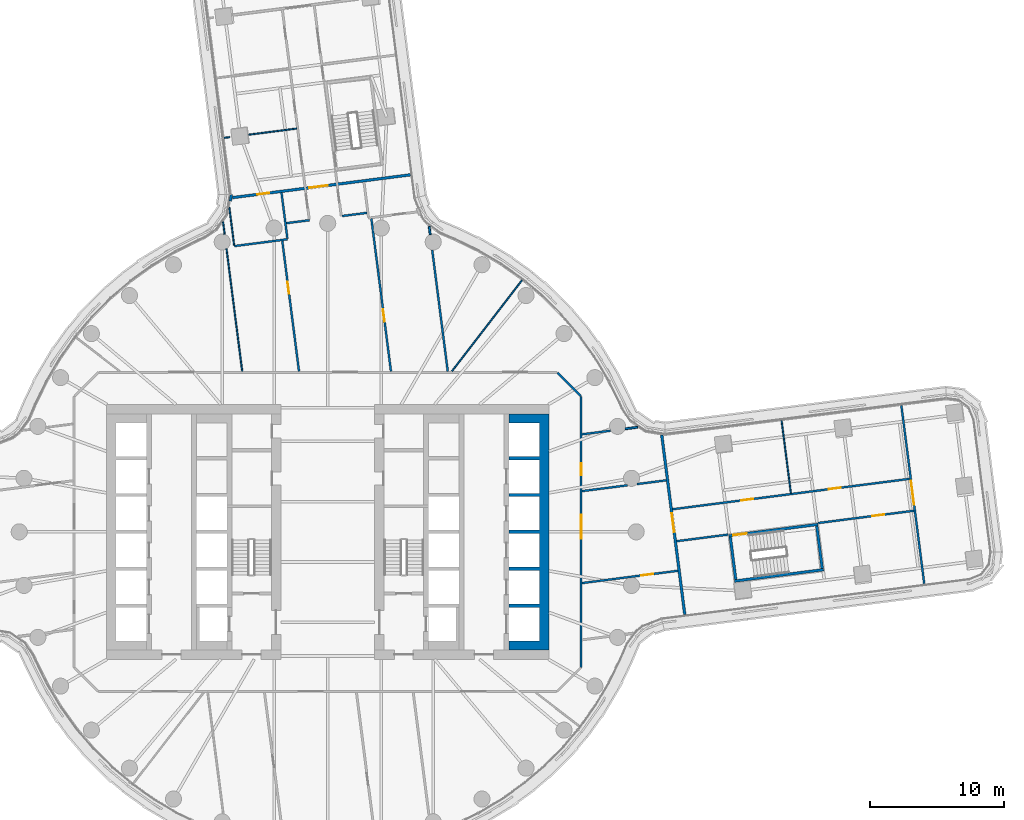
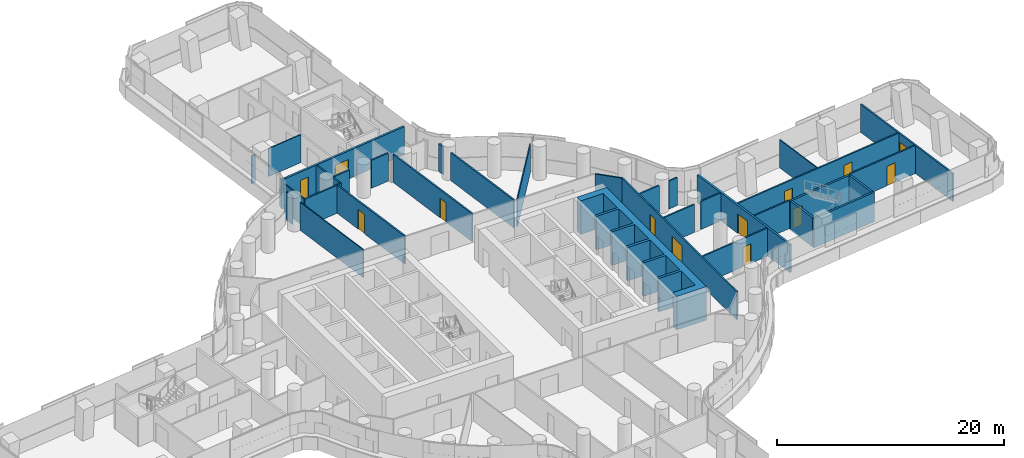
# One storey, part 22 of 31: 34 walls, 13 doors, 13 openings.
"""IFC4 building model written with IfcOpenShell, lengths in metres."""

from ifc_helpers import new_model, si_unit, direction, frame, frame_2d, origin, place, context, subcontext, project, spatial, polyline, rectangle, outline, extrude, material, layer, layer_set, type_object, element, fill, save


model = new_model("IFC4")

# Units and contexts
model_context = context("Model", 3, precision=1e-05, world=origin(), true_north=direction((0.0, 1.0)))
body_context = subcontext(model_context, "Body", "Model", "MODEL_VIEW")
ifc_project = project(units=[si_unit("LENGTHUNIT", "METRE"), si_unit("AREAUNIT", "SQUARE_METRE"), si_unit("VOLUMEUNIT", "CUBIC_METRE"), si_unit("PLANEANGLEUNIT", "RADIAN"), si_unit("MASSUNIT", "GRAM", prefix="KILO")], contexts=[model_context])

# Site, building, storey
site_placement = place(None, origin())
site = spatial("IfcSite", under=ifc_project, at=site_placement, CompositionType="ELEMENT")
building_placement = place(site_placement, origin())
building = spatial("IfcBuilding", under=site, at=building_placement, Name="Tamarind Cross Interchange Tower", CompositionType="ELEMENT")
storey_placement = place(building_placement, frame((0.0, 0.0, 60.25)))
storey = spatial("IfcBuildingStorey", under=building, at=storey_placement, Name="L13", CompositionType="ELEMENT", Elevation=60.25)

# Walls
ifc_material_1 = material(Name="Concrete C80", Category="concrete")
ifc_layer_1 = layer(ifc_material_1, 0.699951171875)
ifc_layer_set_1 = layer_set([ifc_layer_1], Name="Concrete C80")
wall_type_1 = type_object("IfcWallType", Name="Core wall 700 mm Concrete C80", PredefinedType="SHEAR", material=ifc_layer_set_1)
wall_1_placement = place(storey_placement, origin())
element("IfcWall", 1, at=wall_1_placement, inside=storey, type_object=wall_type_1, Name="Core wall CWL-L13-E-A", PredefinedType="SHEAR", context=body_context, shape_type="SweptSolid", body=[
    extrude(outline(polyline([(13.5, -8.800048828125), (15.800048828125, -8.800048828125), (16.5, -8.800048828125), (16.5, 8.800048828125), (15.800048828125, 8.800048828125), (13.5, 8.800048828125), (13.5, 8.125), (15.800048828125, 8.125), (15.800048828125, 5.625), (13.5, 5.625), (13.5, 5.375), (15.800048828125, 5.375), (15.800048828125, 2.875), (13.5, 2.875), (13.5, 2.625), (15.800048828125, 2.625), (15.800048828125, 0.125), (13.5, 0.125), (13.5, -0.125), (15.800048828125, -0.125), (15.800048828125, -2.625), (13.5, -2.625), (13.5, -2.875), (15.800048828125, -2.875), (15.800048828125, -5.375), (13.5, -5.375), (13.5, -5.625), (15.800048828125, -5.625), (15.800048828125, -8.125), (13.5, -8.125), (13.5, -8.800048828125)])), origin(), (0.0, 0.0, 1.0), 3.610107421875),
])
ifc_material_2 = material(Name="Gypsum board partition on steel studs", Category="steel")
ifc_layer_2 = layer(ifc_material_2, 0.10009765625)
ifc_layer_set_2 = layer_set([ifc_layer_2], Name="Gypsum board partition on steel studs")
wall_type_2 = type_object("IfcWallType", Name="Partition 100 mm EI 90", PredefinedType="PARTITIONING", material=ifc_layer_set_2)
wall_2_placement = place(storey_placement, frame((-7.803955078125, 23.106201171875, 0.0), z_axis=(0.0, 0.0, 1.0), x_axis=(0.127295384389, -0.991864852242, 0.0)))
element("IfcWall", 2, at=wall_2_placement, inside=storey, type_object=wall_type_2, Name="Partition L13-004", PredefinedType="PARTITIONING", context=body_context, shape_type="SweptSolid", body=[
    extrude(rectangle(XDim=0.939697265625, YDim=0.10009765625, at=frame_2d((0.4697265625, 0.0))), origin(), (0.0, 0.0, 1.0), 3.010009765625),
])
wall_3_placement = place(storey_placement, frame((-7.54638671875, 21.099609375, 0.0), z_axis=(0.0, 0.0, 1.0), x_axis=(0.127267297213, -0.991868456531, 0.0)))
element("IfcWall", 3, at=wall_3_placement, inside=storey, type_object=wall_type_2, Name="Partition L13-005", PredefinedType="PARTITIONING", context=body_context, shape_type="SweptSolid", body=[
    extrude(rectangle(XDim=9.2099609375, YDim=0.10009765625, at=frame_2d((4.60498046875, 0.0))), origin(), (0.0, 0.0, 1.0), 3.010009765625),
])
wall_4_placement = place(storey_placement, frame((-7.3388671875, 24.190673828125, 0.0), z_axis=(0.0, 0.0, 1.0), x_axis=(0.127216321892, -0.991874995876, 0.0)))
element("IfcWall", 4, at=wall_4_placement, inside=storey, type_object=wall_type_2, Name="Partition L13-008", PredefinedType="PARTITIONING", context=body_context, shape_type="SweptSolid", body=[
    extrude(rectangle(XDim=2.84228515625, YDim=0.10009765625, at=frame_2d((1.421142578125, 0.0))), origin(), (0.0, 0.0, 1.0), 3.010009765625),
])
wall_5_placement = place(storey_placement, frame((33.841064453125, 8.2880859375, 0.0), z_axis=(0.0, 0.0, 1.0), x_axis=(0.127340829126, -0.991859018832, 0.0)))
element("IfcWall", 5, at=wall_5_placement, inside=storey, type_object=wall_type_2, Name="Partition L13-027", PredefinedType="PARTITIONING", context=body_context, shape_type="SweptSolid", body=[
    extrude(rectangle(XDim=5.44287109375, YDim=0.10009765625, at=frame_2d((2.721435546875, 0.0))), origin(), (0.0, 0.0, 1.0), 3.010009765625),
])
wall_6_placement = place(storey_placement, frame((-7.72021484375, 29.377197265625, 0.0), z_axis=(0.0, 0.0, 1.0), x_axis=(0.991892818895, 0.127077282884, 0.0)))
element("IfcWall", 6, at=wall_6_placement, inside=storey, type_object=wall_type_2, Name="Partition L13-049", PredefinedType="PARTITIONING", context=body_context, shape_type="SweptSolid", body=[
    extrude(rectangle(XDim=0.424560546875, YDim=0.10009765625, at=frame_2d((0.21240234375, 0.0))), origin(), (0.0, 0.0, 1.0), 3.010009765625),
])
wall_7_placement = place(storey_placement, frame((-5.887451171875, 29.612548828125, 0.0), z_axis=(0.0, 0.0, 1.0), x_axis=(0.991858181823, 0.127347348428, 0.0)))
element("IfcWall", 7, at=wall_7_placement, inside=storey, type_object=wall_type_2, Name="Partition L13-050", PredefinedType="PARTITIONING", context=body_context, shape_type="SweptSolid", body=[
    extrude(rectangle(XDim=3.600341796875, YDim=0.10009765625, at=frame_2d((1.80029296875, 0.0))), origin(), (0.0, 0.0, 1.0), 3.010009765625),
])
wall_8_placement = place(storey_placement, frame((9.259521484375, 11.987548828125, 0.0), z_axis=(0.0, 0.0, 1.0), x_axis=(0.611328797993, 0.791376712284, 0.0)))
element("IfcWall", 8, at=wall_8_placement, inside=storey, type_object=wall_type_2, Name="Partition L13-073", PredefinedType="PARTITIONING", context=body_context, shape_type="SweptSolid", body=[
    extrude(rectangle(XDim=8.546630859375, YDim=0.10009765625, at=frame_2d((4.2734375, 0.0))), origin(), (0.0, 0.0, 1.0), 3.010009765625),
])
ifc_layer_3 = layer(ifc_material_2, 0.14990234375)
ifc_layer_set_3 = layer_set([ifc_layer_3], Name="Gypsum board partition on steel studs")
wall_type_3 = type_object("IfcWallType", Name="Partition 150 mm EI 120", PredefinedType="PARTITIONING", material=ifc_layer_set_3)
wall_9_placement = place(storey_placement, frame((-3.4462890625, 25.287841796875, 0.0), z_axis=(0.0, 0.0, 1.0), x_axis=(0.127218102171, -0.991874767539, 0.0)))
element("IfcWall", 9, at=wall_9_placement, inside=storey, type_object=wall_type_3, Name="Partition L13-010", PredefinedType="PARTITIONING", context=body_context, shape_type="SweptSolid", body=[
    extrude(rectangle(XDim=3.43505859375, YDim=0.14990234375, at=frame_2d((1.717529296875, 0.0))), origin(), (0.0, 0.0, 1.0), 3.010009765625),
])

# Wall, opening, door
wall_10_placement = place(storey_placement, frame((-3.388427734375, 21.690673828125, 0.0), z_axis=(0.0, 0.0, 1.0), x_axis=(0.127289992737, -0.991865544189, 0.0)))
wall_10 = element("IfcWall", 10, at=wall_10_placement, inside=storey, type_object=wall_type_3, Name="Partition L13-011", PredefinedType="PARTITIONING", context=body_context, shape_type="SweptSolid", body=[
    extrude(rectangle(XDim=9.801025390625, YDim=0.14990234375, at=frame_2d((4.900390625, 0.0))), origin(), (0.0, 0.0, 1.0), 3.010009765625),
])
opening_1_placement = place(wall_10_placement, frame((3.074951171875, 0.0, 0.0)))
opening_1 = element("IfcOpeningElement", 11, at=opening_1_placement, cuts=wall_10, Name="Opening D04", PredefinedType="OPENING", context=body_context, shape_type="SweptSolid", body=[
    extrude(rectangle(XDim=0.89990234375, YDim=2.10009765625, at=frame_2d((0.449951171875, 1.050048828125))), frame((0.0, 0.0849609375, 0.0), z_axis=(0.0, -1.0, 0.0), x_axis=(1.0, 0.0, 0.0)), (0.0, 0.0, 1.0), 0.169921875),
])
ifc_material_3 = material(Name="Fire-resisting door set")
door_type_1 = type_object("IfcDoorType", Name="Interior door 900 x 2100 FD60S", OperationType="SINGLE_SWING_LEFT", PredefinedType="DOOR", material=ifc_material_3)
door_1_placement = place(opening_1_placement, frame((0.89990234375, 0.0, 0.0), z_axis=(0.0, 0.0, 1.0), x_axis=(-1.0, 0.0, 0.0)))
door_1 = element("IfcDoor", 12, at=door_1_placement, inside=storey, type_object=door_type_1, Name="Door D04", OperationType="SINGLE_SWING_LEFT", OverallHeight=2.10009765625, OverallWidth=0.89990234375, PredefinedType="DOOR", context=body_context, shape_type="SweptSolid", body=[
    extrude(rectangle(XDim=0.89990234375, YDim=2.10009765625, at=frame_2d((0.449951171875, 1.050048828125))), frame((0.0, 0.02490234375, 0.0), z_axis=(0.0, -1.0, 0.0), x_axis=(1.0, 0.0, 0.0)), (0.0, 0.0, 1.0), 0.050048828125),
])
fill(opening_1, door_1)

wall_11_placement = place(storey_placement, frame((3.25439453125, 23.349609375, 0.0), z_axis=(0.0, 0.0, 1.0), x_axis=(0.12731031991, -0.991862935311, 0.0)))
wall_11 = element("IfcWall", 13, at=wall_11_placement, inside=storey, type_object=wall_type_3, Name="Partition L13-021", PredefinedType="PARTITIONING", context=body_context, shape_type="SweptSolid", body=[
    extrude(rectangle(XDim=11.473388671875, YDim=0.14990234375, at=frame_2d((5.73681640625, 0.0))), origin(), (0.0, 0.0, 1.0), 3.010009765625),
])
opening_2_placement = place(wall_11_placement, frame((6.824951171875, 0.0, 0.0)))
opening_2 = element("IfcOpeningElement", 14, at=opening_2_placement, cuts=wall_11, Name="Opening D15", PredefinedType="OPENING", context=body_context, shape_type="SweptSolid", body=[
    extrude(rectangle(XDim=0.89990234375, YDim=2.10009765625, at=frame_2d((0.449951171875, 1.050048828125))), frame((0.0, 0.0849609375, 0.0), z_axis=(0.0, -1.0, 0.0), x_axis=(1.0, 0.0, 0.0)), (0.0, 0.0, 1.0), 0.169921875),
])
door_2_placement = place(opening_2_placement, origin())
door_2 = element("IfcDoor", 15, at=door_2_placement, inside=storey, type_object=door_type_1, Name="Door D15", OperationType="SINGLE_SWING_LEFT", OverallHeight=2.10009765625, OverallWidth=0.89990234375, PredefinedType="DOOR", context=body_context, shape_type="SweptSolid", body=[
    extrude(rectangle(XDim=0.89990234375, YDim=2.10009765625, at=frame_2d((0.449951171875, 1.050048828125))), frame((0.0, 0.02490234375, 0.0), z_axis=(0.0, -1.0, 0.0), x_axis=(1.0, 0.0, 0.0)), (0.0, 0.0, 1.0), 0.050048828125),
])
fill(opening_2, door_2)

# Walls
wall_12_placement = place(storey_placement, frame((7.563232421875, 22.775146484375, 0.0), z_axis=(0.0, 0.0, 1.0), x_axis=(0.127293958292, -0.991865035266, 0.0)))
element("IfcWall", 16, at=wall_12_placement, inside=storey, type_object=wall_type_3, Name="Partition L13-024", PredefinedType="PARTITIONING", context=body_context, shape_type="SweptSolid", body=[
    extrude(rectangle(XDim=0.61767578125, YDim=0.14990234375, at=frame_2d((0.308837890625, 0.0))), origin(), (0.0, 0.0, 1.0), 3.010009765625),
])
wall_13_placement = place(storey_placement, frame((7.7880859375, 21.02392578125, 0.0), z_axis=(0.0, 0.0, 1.0), x_axis=(0.127302620223, -0.991863923572, 0.0)))
element("IfcWall", 17, at=wall_13_placement, inside=storey, type_object=wall_type_3, Name="Partition L13-025", PredefinedType="PARTITIONING", context=body_context, shape_type="SweptSolid", body=[
    extrude(rectangle(XDim=9.128662109375, YDim=0.14990234375, at=frame_2d((4.564453125, 0.0))), origin(), (0.0, 0.0, 1.0), 3.010009765625),
])

# Wall, opening, door
wall_14_placement = place(storey_placement, frame((42.769287109375, 9.423583984375, 0.0), z_axis=(0.0, 0.0, 1.0), x_axis=(0.127334343986, -0.991859851411, 0.0)))
wall_14 = element("IfcWall", 18, at=wall_14_placement, inside=storey, type_object=wall_type_3, Name="Partition L13-028", PredefinedType="PARTITIONING", context=body_context, shape_type="SweptSolid", body=[
    extrude(rectangle(XDim=13.402099609375, YDim=0.14990234375, at=frame_2d((6.701171875, 0.0))), origin(), (0.0, 0.0, 1.0), 3.010009765625),
])
opening_3_placement = place(wall_14_placement, frame((5.6533203125, 0.0, 0.0)))
opening_3 = element("IfcOpeningElement", 19, at=opening_3_placement, cuts=wall_14, Name="Opening D17", PredefinedType="OPENING", context=body_context, shape_type="SweptSolid", body=[
    extrude(rectangle(XDim=1.800048828125, YDim=2.10009765625, at=frame_2d((0.89990234375, 1.050048828125))), frame((0.0, 0.0849609375, 0.0), z_axis=(0.0, -1.0, 0.0), x_axis=(1.0, 0.0, 0.0)), (0.0, 0.0, 1.0), 0.169921875),
])
door_type_2 = type_object("IfcDoorType", Name="Interior door 1800 x 2100 FD60S", OperationType="DOUBLE_DOOR_SINGLE_SWING", PredefinedType="DOOR", material=ifc_material_3)
door_3_placement = place(opening_3_placement, origin())
door_3 = element("IfcDoor", 20, at=door_3_placement, inside=storey, type_object=door_type_2, Name="Door D17", OperationType="DOUBLE_DOOR_SINGLE_SWING", OverallHeight=2.10009765625, OverallWidth=1.800048828125, PredefinedType="DOOR", context=body_context, shape_type="SweptSolid", body=[
    extrude(rectangle(XDim=1.800048828125, YDim=2.10009765625, at=frame_2d((0.89990234375, 1.050048828125))), frame((0.0, 0.02490234375, 0.0), z_axis=(0.0, -1.0, 0.0), x_axis=(1.0, 0.0, 0.0)), (0.0, 0.0, 1.0), 0.050048828125),
])
fill(opening_3, door_3)

# Walls
wall_15_placement = place(storey_placement, frame((17.12841796875, 11.87158203125, 0.0), z_axis=(0.0, 0.0, 1.0), x_axis=(0.707106781187, -0.707106781187, 0.0)))
element("IfcWall", 21, at=wall_15_placement, inside=storey, type_object=wall_type_3, Name="Partition L13-030", PredefinedType="PARTITIONING", context=body_context, shape_type="SweptSolid", body=[
    extrude(rectangle(XDim=2.465087890625, YDim=0.14990234375, at=frame_2d((1.232421875, 0.0))), origin(), (0.0, 0.0, 1.0), 3.010009765625),
])
wall_16_placement = place(storey_placement, frame((-6.968994140625, 21.306884765625, 0.0), z_axis=(0.0, 0.0, 1.0), x_axis=(0.991871793168, 0.127241290147, 0.0)))
element("IfcWall", 22, at=wall_16_placement, inside=storey, type_object=wall_type_3, Name="Partition L13-052", PredefinedType="PARTITIONING", context=body_context, shape_type="SweptSolid", body=[
    extrude(rectangle(XDim=4.00048828125, YDim=0.14990234375, at=frame_2d((2.000244140625, 0.0))), origin(), (0.0, 0.0, 1.0), 3.010009765625),
])
wall_17_placement = place(storey_placement, frame((-3.07958984375, 23.0166015625, 0.0), z_axis=(0.0, 0.0, 1.0), x_axis=(0.991878919151, 0.127185729328, 0.0)))
element("IfcWall", 23, at=wall_17_placement, inside=storey, type_object=wall_type_3, Name="Partition L13-057", PredefinedType="PARTITIONING", context=body_context, shape_type="SweptSolid", body=[
    extrude(rectangle(XDim=1.7255859375, YDim=0.14990234375, at=frame_2d((0.86279296875, 0.0))), origin(), (0.0, 0.0, 1.0), 3.010009765625),
])
wall_18_placement = place(storey_placement, frame((1.076416015625, 23.54931640625, 0.0), z_axis=(0.0, 0.0, 1.0), x_axis=(0.991881240243, 0.127167626594, 0.0)))
element("IfcWall", 24, at=wall_18_placement, inside=storey, type_object=wall_type_3, Name="Partition L13-058", PredefinedType="PARTITIONING", context=body_context, shape_type="SweptSolid", body=[
    extrude(rectangle(XDim=1.8603515625, YDim=0.14990234375, at=frame_2d((0.93017578125, 0.0))), origin(), (0.0, 0.0, 1.0), 3.010009765625),
])

# Wall, opening, door
wall_19_placement = place(storey_placement, frame((18.969482421875, -3.817138671875, 0.0), z_axis=(0.0, 0.0, 1.0), x_axis=(0.991864088846, 0.127301332506, 0.0)))
wall_19 = element("IfcWall", 25, at=wall_19_placement, inside=storey, type_object=wall_type_3, Name="Partition L13-060", PredefinedType="PARTITIONING", context=body_context, shape_type="SweptSolid", body=[
    extrude(rectangle(XDim=7.19189453125, YDim=0.14990234375, at=frame_2d((3.595947265625, 0.0))), origin(), (0.0, 0.0, 1.0), 3.010009765625),
])
opening_4_placement = place(wall_19_placement, frame((4.429931640625, 0.0, 0.0)))
opening_4 = element("IfcOpeningElement", 26, at=opening_4_placement, cuts=wall_19, Name="Opening D33", PredefinedType="OPENING", context=body_context, shape_type="SweptSolid", body=[
    extrude(rectangle(XDim=0.89990234375, YDim=2.10009765625, at=frame_2d((0.449951171875, 1.050048828125))), frame((0.0, 0.0849609375, 0.0), z_axis=(0.0, -1.0, 0.0), x_axis=(1.0, 0.0, 0.0)), (0.0, 0.0, 1.0), 0.169921875),
])
door_4_placement = place(opening_4_placement, frame((0.89990234375, 0.0, 0.0), z_axis=(0.0, 0.0, 1.0), x_axis=(-1.0, 0.0, 0.0)))
door_4 = element("IfcDoor", 27, at=door_4_placement, inside=storey, type_object=door_type_1, Name="Door D33", OperationType="SINGLE_SWING_RIGHT", OverallHeight=2.10009765625, OverallWidth=0.89990234375, PredefinedType="DOOR", context=body_context, shape_type="SweptSolid", body=[
    extrude(rectangle(XDim=0.89990234375, YDim=2.10009765625, at=frame_2d((0.449951171875, 1.050048828125))), frame((0.0, 0.02490234375, 0.0), z_axis=(0.0, -1.0, 0.0), x_axis=(1.0, 0.0, 0.0)), (0.0, 0.0, 1.0), 0.050048828125),
])
fill(opening_4, door_4)

# Walls
wall_20_placement = place(storey_placement, frame((18.969482421875, 3.038818359375, 0.0), z_axis=(0.0, 0.0, 1.0), x_axis=(0.99186236677, 0.127314749288, 0.0)))
element("IfcWall", 28, at=wall_20_placement, inside=storey, type_object=wall_type_3, Name="Partition L13-061", PredefinedType="PARTITIONING", context=body_context, shape_type="SweptSolid", body=[
    extrude(rectangle(XDim=3.39794921875, YDim=0.14990234375, at=frame_2d((1.698974609375, 0.0))), origin(), (0.0, 0.0, 1.0), 3.010009765625),
])
wall_21_placement = place(storey_placement, frame((23.052978515625, 3.56298828125, 0.0), z_axis=(0.0, 0.0, 1.0), x_axis=(0.991864800905, 0.127295784398, 0.0)))
element("IfcWall", 29, at=wall_21_placement, inside=storey, type_object=wall_type_3, Name="Partition L13-062", PredefinedType="PARTITIONING", context=body_context, shape_type="SweptSolid", body=[
    extrude(rectangle(XDim=2.20166015625, YDim=0.14990234375, at=frame_2d((1.100830078125, 0.0))), origin(), (0.0, 0.0, 1.0), 3.010009765625),
])
wall_22_placement = place(storey_placement, frame((18.969482421875, 7.27294921875, 0.0), z_axis=(0.0, 0.0, 1.0), x_axis=(0.991863273409, 0.127307685792, 0.0)))
element("IfcWall", 30, at=wall_22_placement, inside=storey, type_object=wall_type_3, Name="Partition L13-063", PredefinedType="PARTITIONING", context=body_context, shape_type="SweptSolid", body=[
    extrude(rectangle(XDim=2.14794921875, YDim=0.14990234375, at=frame_2d((1.073974609375, 0.0))), origin(), (0.0, 0.0, 1.0), 3.010009765625),
])
wall_23_placement = place(storey_placement, frame((22.174072265625, 7.684326171875, 0.0), z_axis=(0.0, 0.0, 1.0), x_axis=(0.991864852242, 0.127295384389, 0.0)))
element("IfcWall", 31, at=wall_23_placement, inside=storey, type_object=wall_type_3, Name="Partition L13-064", PredefinedType="PARTITIONING", context=body_context, shape_type="SweptSolid", body=[
    extrude(rectangle(XDim=0.939697265625, YDim=0.14990234375, at=frame_2d((0.4697265625, 0.0))), origin(), (0.0, 0.0, 1.0), 3.010009765625),
])

# Wall, openings, doors
wall_24_placement = place(storey_placement, frame((25.715087890625, 1.686767578125, 0.0), z_axis=(0.0, 0.0, 1.0), x_axis=(0.991866951886, 0.127279023238, 0.0)))
wall_24 = element("IfcWall", 32, at=wall_24_placement, inside=storey, type_object=wall_type_3, Name="Partition L13-067", PredefinedType="PARTITIONING", context=body_context, shape_type="SweptSolid", body=[
    extrude(rectangle(XDim=17.825439453125, YDim=0.14990234375, at=frame_2d((8.91259765625, 0.0))), origin(), (0.0, 0.0, 1.0), 3.010009765625),
])
opening_5_placement = place(wall_24_placement, frame((5.14990234375, 0.0, 0.0)))
opening_5 = element("IfcOpeningElement", 33, at=opening_5_placement, cuts=wall_24, Name="Opening D34", PredefinedType="OPENING", context=body_context, shape_type="SweptSolid", body=[
    extrude(rectangle(XDim=0.89990234375, YDim=2.10009765625, at=frame_2d((0.449951171875, 1.050048828125))), frame((0.0, 0.0849609375, 0.0), z_axis=(0.0, -1.0, 0.0), x_axis=(1.0, 0.0, 0.0)), (0.0, 0.0, 1.0), 0.169921875),
])
opening_6_placement = place(wall_24_placement, frame((11.750244140625, 0.0, 0.0)))
opening_6 = element("IfcOpeningElement", 34, at=opening_6_placement, cuts=wall_24, Name="Opening D35", PredefinedType="OPENING", context=body_context, shape_type="SweptSolid", body=[
    extrude(rectangle(XDim=0.89990234375, YDim=2.10009765625, at=frame_2d((0.449951171875, 1.050048828125))), frame((0.0, 0.0849609375, 0.0), z_axis=(0.0, -1.0, 0.0), x_axis=(1.0, 0.0, 0.0)), (0.0, 0.0, 1.0), 0.169921875),
])
door_5_placement = place(opening_5_placement, origin())
door_5 = element("IfcDoor", 35, at=door_5_placement, inside=storey, type_object=door_type_1, Name="Door D34", OperationType="SINGLE_SWING_RIGHT", OverallHeight=2.10009765625, OverallWidth=0.89990234375, PredefinedType="DOOR", context=body_context, shape_type="SweptSolid", body=[
    extrude(rectangle(XDim=0.89990234375, YDim=2.10009765625, at=frame_2d((0.449951171875, 1.050048828125))), frame((0.0, 0.02490234375, 0.0), z_axis=(0.0, -1.0, 0.0), x_axis=(1.0, 0.0, 0.0)), (0.0, 0.0, 1.0), 0.050048828125),
])
fill(opening_5, door_5)
door_6_placement = place(opening_6_placement, origin())
door_6 = element("IfcDoor", 36, at=door_6_placement, inside=storey, type_object=door_type_1, Name="Door D35", OperationType="SINGLE_SWING_LEFT", OverallHeight=2.10009765625, OverallWidth=0.89990234375, PredefinedType="DOOR", context=body_context, shape_type="SweptSolid", body=[
    extrude(rectangle(XDim=0.89990234375, YDim=2.10009765625, at=frame_2d((0.449951171875, 1.050048828125))), frame((0.0, 0.02490234375, 0.0), z_axis=(0.0, -1.0, 0.0), x_axis=(1.0, 0.0, 0.0)), (0.0, 0.0, 1.0), 0.050048828125),
])
fill(opening_6, door_6)

# Wall
wall_25_placement = place(storey_placement, frame((26.021240234375, -0.693359375, 0.0), z_axis=(0.0, 0.0, 1.0), x_axis=(0.991860785408, 0.127327068492, 0.0)))
element("IfcWall", 37, at=wall_25_placement, inside=storey, type_object=wall_type_3, Name="Partition L13-068", PredefinedType="PARTITIONING", context=body_context, shape_type="SweptSolid", body=[
    extrude(rectangle(XDim=3.85986328125, YDim=0.14990234375, at=frame_2d((1.929931640625, 0.0))), origin(), (0.0, 0.0, 1.0), 3.010009765625),
])

# Wall, opening, door
wall_26_placement = place(storey_placement, frame((36.574951171875, 0.660888671875, 0.0), z_axis=(0.0, 0.0, 1.0), x_axis=(0.991868470518, 0.127267188203, 0.0)))
wall_26 = element("IfcWall", 38, at=wall_26_placement, inside=storey, type_object=wall_type_3, Name="Partition L13-069", PredefinedType="PARTITIONING", context=body_context, shape_type="SweptSolid", body=[
    extrude(rectangle(XDim=7.18408203125, YDim=0.14990234375, at=frame_2d((3.592041015625, 0.0))), origin(), (0.0, 0.0, 1.0), 3.010009765625),
])
opening_7_placement = place(wall_26_placement, frame((4.050048828125, 0.0, 0.0)))
opening_7 = element("IfcOpeningElement", 39, at=opening_7_placement, cuts=wall_26, Name="Opening D36", PredefinedType="OPENING", context=body_context, shape_type="SweptSolid", body=[
    extrude(rectangle(XDim=0.89990234375, YDim=2.10009765625, at=frame_2d((0.449951171875, 1.050048828125))), frame((0.0, 0.0849609375, 0.0), z_axis=(0.0, -1.0, 0.0), x_axis=(1.0, 0.0, 0.0)), (0.0, 0.0, 1.0), 0.169921875),
])
door_7_placement = place(opening_7_placement, frame((0.89990234375, 0.0, 0.0), z_axis=(0.0, 0.0, 1.0), x_axis=(-1.0, 0.0, 0.0)))
door_7 = element("IfcDoor", 40, at=door_7_placement, inside=storey, type_object=door_type_1, Name="Door D36", OperationType="SINGLE_SWING_RIGHT", OverallHeight=2.10009765625, OverallWidth=0.89990234375, PredefinedType="DOOR", context=body_context, shape_type="SweptSolid", body=[
    extrude(rectangle(XDim=0.89990234375, YDim=2.10009765625, at=frame_2d((0.449951171875, 1.050048828125))), frame((0.0, 0.02490234375, 0.0), z_axis=(0.0, -1.0, 0.0), x_axis=(1.0, 0.0, 0.0)), (0.0, 0.0, 1.0), 0.050048828125),
])
fill(opening_7, door_7)

# Wall, openings, doors
wall_27_placement = place(storey_placement, frame((18.89990234375, -10.10009765625, 0.0), z_axis=(0.0, 0.0, 1.0), x_axis=(0.0, 1.0, 0.0)))
wall_27 = element("IfcWall", 41, at=wall_27_placement, inside=storey, type_object=wall_type_3, Name="Partition L13-075", PredefinedType="PARTITIONING", context=body_context, shape_type="SweptSolid", body=[
    extrude(rectangle(XDim=20.2001953125, YDim=0.14990234375, at=frame_2d((10.10009765625, 0.0))), origin(), (0.0, 0.0, 1.0), 3.010009765625),
])
opening_8_placement = place(wall_27_placement, frame((9.573974609375, 0.0, 0.0)))
opening_8 = element("IfcOpeningElement", 42, at=opening_8_placement, cuts=wall_27, Name="Opening D39", PredefinedType="OPENING", context=body_context, shape_type="SweptSolid", body=[
    extrude(rectangle(XDim=1.800048828125, YDim=2.10009765625, at=frame_2d((0.89990234375, 1.050048828125))), frame((0.0, 0.0849609375, 0.0), z_axis=(0.0, -1.0, 0.0), x_axis=(1.0, 0.0, 0.0)), (0.0, 0.0, 1.0), 0.169921875),
])
opening_9_placement = place(wall_27_placement, frame((14.330078125, 0.0, 0.0)))
opening_9 = element("IfcOpeningElement", 43, at=opening_9_placement, cuts=wall_27, Name="Opening D40", PredefinedType="OPENING", context=body_context, shape_type="SweptSolid", body=[
    extrude(rectangle(XDim=0.89990234375, YDim=2.10009765625, at=frame_2d((0.449951171875, 1.050048828125))), frame((0.0, 0.0849609375, 0.0), z_axis=(0.0, -1.0, 0.0), x_axis=(1.0, 0.0, 0.0)), (0.0, 0.0, 1.0), 0.169921875),
])
door_8_placement = place(opening_8_placement, origin())
door_8 = element("IfcDoor", 44, at=door_8_placement, inside=storey, type_object=door_type_2, Name="Door D39", OperationType="DOUBLE_DOOR_SINGLE_SWING", OverallHeight=2.10009765625, OverallWidth=1.800048828125, PredefinedType="DOOR", context=body_context, shape_type="SweptSolid", body=[
    extrude(rectangle(XDim=1.800048828125, YDim=2.10009765625, at=frame_2d((0.89990234375, 1.050048828125))), frame((0.0, 0.02490234375, 0.0), z_axis=(0.0, -1.0, 0.0), x_axis=(1.0, 0.0, 0.0)), (0.0, 0.0, 1.0), 0.050048828125),
])
fill(opening_8, door_8)
door_9_placement = place(opening_9_placement, frame((0.89990234375, 0.0, 0.0), z_axis=(0.0, 0.0, 1.0), x_axis=(-1.0, 0.0, 0.0)))
door_9 = element("IfcDoor", 45, at=door_9_placement, inside=storey, type_object=door_type_1, Name="Door D40", OperationType="SINGLE_SWING_RIGHT", OverallHeight=2.10009765625, OverallWidth=0.89990234375, PredefinedType="DOOR", context=body_context, shape_type="SweptSolid", body=[
    extrude(rectangle(XDim=0.89990234375, YDim=2.10009765625, at=frame_2d((0.449951171875, 1.050048828125))), frame((0.0, 0.02490234375, 0.0), z_axis=(0.0, -1.0, 0.0), x_axis=(1.0, 0.0, 0.0)), (0.0, 0.0, 1.0), 0.050048828125),
])
fill(opening_9, door_9)

# Wall, opening, door
ifc_layer_4 = layer(ifc_material_2, 0.199951171875)
ifc_layer_set_4 = layer_set([ifc_layer_4], Name="Gypsum board partition on steel studs")
wall_type_4 = type_object("IfcWallType", Name="Partition 200 mm EI 180", PredefinedType="PARTITIONING", material=ifc_layer_set_4)
wall_28_placement = place(storey_placement, frame((24.904052734375, 7.222412109375, 0.0), z_axis=(0.0, 0.0, 1.0), x_axis=(0.127254234774, -0.991870132493, 0.0)))
wall_28 = element("IfcWall", 46, at=wall_28_placement, inside=storey, type_object=wall_type_4, Name="Partition L13-026", PredefinedType="PARTITIONING", context=body_context, shape_type="SweptSolid", body=[
    extrude(rectangle(XDim=13.492919921875, YDim=0.199951171875, at=frame_2d((6.74658203125, 0.0))), origin(), (0.0, 0.0, 1.0), 3.010009765625),
])
opening_10_placement = place(wall_28_placement, frame((5.893798828125, 0.0, 0.0)))
opening_10 = element("IfcOpeningElement", 47, at=opening_10_placement, cuts=wall_28, Name="Opening D16", PredefinedType="OPENING", context=body_context, shape_type="SweptSolid", body=[
    extrude(rectangle(XDim=1.39990234375, YDim=2.10009765625, at=frame_2d((0.699951171875, 1.050048828125))), frame((0.0, 0.10986328125, 0.0), z_axis=(0.0, -1.0, 0.0), x_axis=(1.0, 0.0, 0.0)), (0.0, 0.0, 1.0), 0.219970703125),
])
door_type_3 = type_object("IfcDoorType", Name="Interior door 1400 x 2100 FD120S", OperationType="DOUBLE_DOOR_SINGLE_SWING", PredefinedType="DOOR", material=ifc_material_3)
door_10_placement = place(opening_10_placement, frame((1.39990234375, 0.0, 0.0), z_axis=(0.0, 0.0, 1.0), x_axis=(-1.0, 0.0, 0.0)))
door_10 = element("IfcDoor", 48, at=door_10_placement, inside=storey, type_object=door_type_3, Name="Door D16", OperationType="DOUBLE_DOOR_SINGLE_SWING", OverallHeight=2.10009765625, OverallWidth=1.39990234375, PredefinedType="DOOR", context=body_context, shape_type="SweptSolid", body=[
    extrude(rectangle(XDim=1.39990234375, YDim=2.10009765625, at=frame_2d((0.699951171875, 1.050048828125))), frame((0.0, 0.02490234375, 0.0), z_axis=(0.0, -1.0, 0.0), x_axis=(1.0, 0.0, 0.0)), (0.0, 0.0, 1.0), 0.050048828125),
])
fill(opening_10, door_10)

# Wall, openings, doors
wall_29_placement = place(storey_placement, frame((-7.1083984375, 24.918701171875, 0.0), z_axis=(0.0, 0.0, 1.0), x_axis=(0.991868025125, 0.127270659366, 0.0)))
wall_29 = element("IfcWall", 49, at=wall_29_placement, inside=storey, type_object=wall_type_4, Name="Partition L13-051", PredefinedType="PARTITIONING", context=body_context, shape_type="SweptSolid", body=[
    extrude(rectangle(XDim=13.378173828125, YDim=0.199951171875, at=frame_2d((6.68896484375, 0.0))), origin(), (0.0, 0.0, 1.0), 3.010009765625),
])
opening_11_placement = place(wall_29_placement, frame((5.77880859375, 0.0, 0.0)))
opening_11 = element("IfcOpeningElement", 50, at=opening_11_placement, cuts=wall_29, Name="Opening D28", PredefinedType="OPENING", context=body_context, shape_type="SweptSolid", body=[
    extrude(rectangle(XDim=1.39990234375, YDim=2.10009765625, at=frame_2d((0.699951171875, 1.050048828125))), frame((0.0, 0.10986328125, 0.0), z_axis=(0.0, -1.0, 0.0), x_axis=(1.0, 0.0, 0.0)), (0.0, 0.0, 1.0), 0.219970703125),
])
opening_12_placement = place(wall_29_placement, frame((1.865234375, 0.0, 0.0)))
opening_12 = element("IfcOpeningElement", 51, at=opening_12_placement, cuts=wall_29, Name="Opening D29", PredefinedType="OPENING", context=body_context, shape_type="SweptSolid", body=[
    extrude(rectangle(XDim=0.89990234375, YDim=2.10009765625, at=frame_2d((0.449951171875, 1.050048828125))), frame((0.0, 0.10986328125, 0.0), z_axis=(0.0, -1.0, 0.0), x_axis=(1.0, 0.0, 0.0)), (0.0, 0.0, 1.0), 0.219970703125),
])
door_11_placement = place(opening_11_placement, frame((1.39990234375, 0.0, 0.0), z_axis=(0.0, 0.0, 1.0), x_axis=(-1.0, 0.0, 0.0)))
door_11 = element("IfcDoor", 52, at=door_11_placement, inside=storey, type_object=door_type_3, Name="Door D28", OperationType="DOUBLE_DOOR_SINGLE_SWING", OverallHeight=2.10009765625, OverallWidth=1.39990234375, PredefinedType="DOOR", context=body_context, shape_type="SweptSolid", body=[
    extrude(rectangle(XDim=1.39990234375, YDim=2.10009765625, at=frame_2d((0.699951171875, 1.050048828125))), frame((0.0, 0.02490234375, 0.0), z_axis=(0.0, -1.0, 0.0), x_axis=(1.0, 0.0, 0.0)), (0.0, 0.0, 1.0), 0.050048828125),
])
fill(opening_11, door_11)
door_type_4 = type_object("IfcDoorType", Name="Interior door 900 x 2100 FD120S", OperationType="SINGLE_SWING_LEFT", PredefinedType="DOOR", material=ifc_material_3)
door_12_placement = place(opening_12_placement, frame((0.89990234375, 0.0, 0.0), z_axis=(0.0, 0.0, 1.0), x_axis=(-1.0, 0.0, 0.0)))
door_12 = element("IfcDoor", 53, at=door_12_placement, inside=storey, type_object=door_type_4, Name="Door D29", OperationType="SINGLE_SWING_LEFT", OverallHeight=2.10009765625, OverallWidth=0.89990234375, PredefinedType="DOOR", context=body_context, shape_type="SweptSolid", body=[
    extrude(rectangle(XDim=0.89990234375, YDim=2.10009765625, at=frame_2d((0.449951171875, 1.050048828125))), frame((0.0, 0.02490234375, 0.0), z_axis=(0.0, -1.0, 0.0), x_axis=(1.0, 0.0, 0.0)), (0.0, 0.0, 1.0), 0.050048828125),
])
fill(opening_12, door_12)

# Wall
wall_30_placement = place(storey_placement, frame((-7.182373046875, 25.15087890625, 0.0), z_axis=(0.0, 0.0, 1.0), x_axis=(-0.160122582132, -0.987097137414, 0.0)))
element("IfcWall", 54, at=wall_30_placement, inside=storey, type_object=wall_type_4, Name="Partition L13-076", PredefinedType="PARTITIONING", context=body_context, shape_type="SweptSolid", body=[
    extrude(rectangle(XDim=0.5, YDim=0.199951171875, at=frame_2d((0.25, 0.0))), origin(), (0.0, 0.0, 1.0), 3.010009765625),
])

# Wall, opening, door
ifc_material_4 = material(Name="Concrete C40", Category="concrete")
ifc_layer_5 = layer(ifc_material_4, 0.199951171875)
ifc_layer_set_5 = layer_set([ifc_layer_5], Name="Concrete C40")
wall_type_5 = type_object("IfcWallType", Name="Stair shaft wall 200 mm Concrete C40", PredefinedType="SHEAR", material=ifc_layer_set_5)
wall_31_placement = place(storey_placement, frame((29.902099609375, -0.29638671875, -0.139892578125), z_axis=(0.0, 0.0, 1.0), x_axis=(0.991866691, 0.12728105627, 0.0)))
wall_31 = element("IfcWall", 55, at=wall_31_placement, inside=storey, type_object=wall_type_5, Name="Core wall CWL-L13-ST3-H", PredefinedType="SHEAR", context=body_context, shape_type="SweptSolid", body=[
    extrude(rectangle(XDim=6.699951171875, YDim=0.199951171875, at=frame_2d((3.35009765625, 0.0))), origin(), (0.0, 0.0, 1.0), 3.14990234375),
])
opening_13_placement = place(wall_31_placement, frame((0.35009765625, 0.0, 0.0)))
opening_13 = element("IfcOpeningElement", 56, at=opening_13_placement, cuts=wall_31, Name="Opening ST3L13", PredefinedType="OPENING", context=body_context, shape_type="SweptSolid", body=[
    extrude(rectangle(XDim=1.0, YDim=2.10009765625, at=frame_2d((0.5, 1.050048828125))), frame((0.0, 0.10986328125, 0.0), z_axis=(0.0, -1.0, 0.0), x_axis=(1.0, 0.0, 0.0)), (0.0, 0.0, 1.0), 0.219970703125),
])
ifc_material_5 = material(Name="Steel, fire-resisting", Category="steel")
door_type_5 = type_object("IfcDoorType", Name="Core fire door 1000 x 2100 FD90", OperationType="SINGLE_SWING_LEFT", PredefinedType="DOOR", material=ifc_material_5)
door_13_placement = place(opening_13_placement, origin())
door_13 = element("IfcDoor", 57, at=door_13_placement, inside=storey, type_object=door_type_5, Name="L13 stair door ST3", OperationType="SINGLE_SWING_LEFT", OverallHeight=2.10009765625, OverallWidth=1.0, PredefinedType="DOOR", context=body_context, shape_type="SweptSolid", body=[
    extrude(rectangle(XDim=1.0, YDim=2.10009765625, at=frame_2d((0.5, 1.050048828125))), frame((0.0, 0.02490234375, 0.0), z_axis=(0.0, -1.0, 0.0), x_axis=(1.0, 0.0, 0.0)), (0.0, 0.0, 1.0), 0.050048828125),
])
fill(opening_13, door_13)

# Walls
wall_32_placement = place(storey_placement, frame((30.3349609375, -3.668701171875, -0.139892578125), z_axis=(0.0, 0.0, 1.0), x_axis=(0.991866100641, 0.127285656693, 0.0)))
element("IfcWall", 58, at=wall_32_placement, inside=storey, type_object=wall_type_5, Name="Core wall CWL-L13-ST3-C", PredefinedType="SHEAR", context=body_context, shape_type="SweptSolid", body=[
    extrude(rectangle(XDim=6.69970703125, YDim=0.199951171875, at=frame_2d((3.349853515625, 0.0))), origin(), (0.0, 0.0, 1.0), 3.14990234375),
])
wall_33_placement = place(storey_placement, frame((30.42138671875, -3.556884765625, -0.139892578125), z_axis=(0.0, 0.0, 1.0), x_axis=(-0.12732982541, 0.991860431493, 0.0)))
element("IfcWall", 59, at=wall_33_placement, inside=storey, type_object=wall_type_5, Name="Core wall CWL-L13-ST3-CE", PredefinedType="SHEAR", context=body_context, shape_type="SweptSolid", body=[
    extrude(rectangle(XDim=3.2001953125, YDim=0.199951171875, at=frame_2d((1.60009765625, 0.0))), origin(), (0.0, 0.0, 1.0), 3.14990234375),
])
wall_34_placement = place(storey_placement, frame((0.0, 0.0, -0.139892578125)))
element("IfcWall", 60, at=wall_34_placement, inside=storey, type_object=wall_type_5, Name="Core wall CWL-L13-ST3-CF", PredefinedType="SHEAR", context=body_context, shape_type="SweptSolid", body=[
    extrude(outline(polyline([(36.769287109375, -2.7421875), (36.967529296875, -2.716796875), (36.560302734375, 0.457275390625), (36.36181640625, 0.431884765625), (36.769287109375, -2.7421875)])), origin(), (0.0, 0.0, 1.0), 3.14990234375),
])

save(model, "model.ifc")
